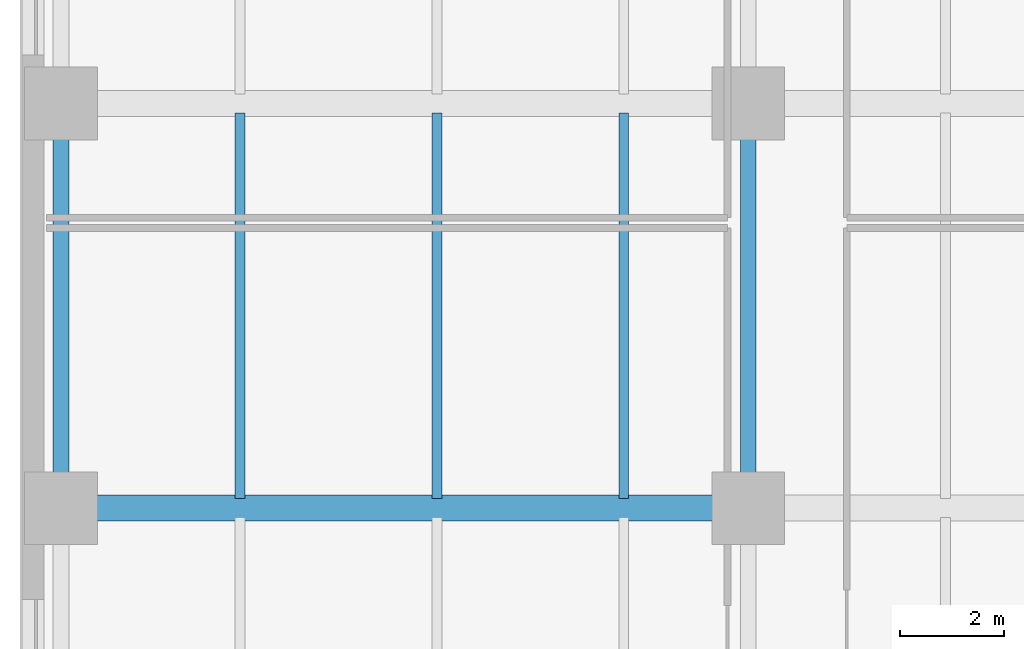
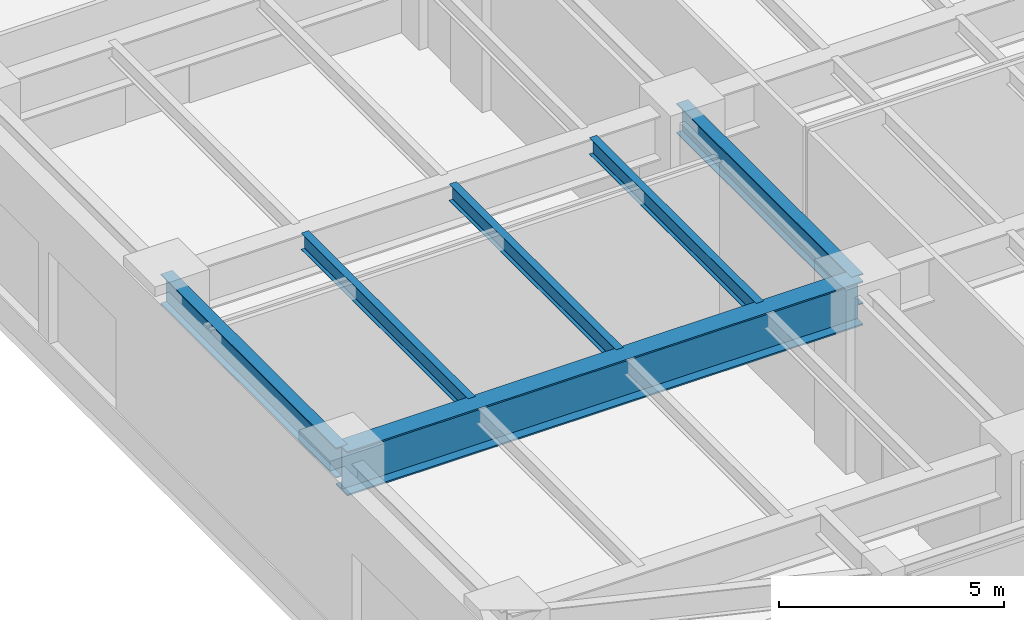
# One storey, part 5 of 39: 6 beams.
"""IFC4 building model written with IfcOpenShell, lengths in metres."""

from ifc_helpers import new_model, si_unit, direction, frame, origin, origin_2d, place, context, subcontext, project, spatial, i_section, extrude, source, transform, mapped, material, material_profile, profile_set, type_object, type_shapes, element, save


model = new_model("IFC4")

# Units and contexts
model_context = context("Model", 3, precision=1e-05, world=origin(), true_north=direction((0.0, 1.0)))
body_context = subcontext(model_context, "Body", "Model", "MODEL_VIEW")
ifc_project = project(units=[si_unit("LENGTHUNIT", "METRE"), si_unit("AREAUNIT", "SQUARE_METRE"), si_unit("VOLUMEUNIT", "CUBIC_METRE"), si_unit("PLANEANGLEUNIT", "RADIAN"), si_unit("MASSUNIT", "GRAM", prefix="KILO")], contexts=[model_context])

# Site, building, storey
site_placement = place(None, origin())
site = spatial("IfcSite", under=ifc_project, at=site_placement, CompositionType="ELEMENT")
building_placement = place(site_placement, origin())
building = spatial("IfcBuilding", under=site, at=building_placement, Name="Tolvann Quenvar Hotel", CompositionType="ELEMENT")
storey_placement = place(building_placement, frame((0.0, 0.0, 11.0)))
storey = spatial("IfcBuildingStorey", under=building, at=storey_placement, Name="L02", CompositionType="ELEMENT", Elevation=11.0)

# Beams
ifc_material = material(Name="Steel Grade 350", Category="steel")
ifc_material_profile_1 = material_profile(ifc_material, i_section(OverallWidth=0.5, OverallDepth=1.199951171875, WebThickness=0.01611328125, FlangeThickness=0.0400390625, at=origin_2d()), Name="1200WB455")
ifc_profile_set_1 = profile_set([ifc_material_profile_1], Name="Steel Grade 350")
beam_type_1 = type_object("IfcBeamType", Name="BM_TG_1200WB455", PredefinedType="USERDEFINED", material=ifc_profile_set_1)
shared_shape_1 = source(origin(), body_context, "Body", "SweptSolid", [
    extrude(i_section(OverallWidth=0.5, OverallDepth=1.199951171875, WebThickness=0.01611328125, FlangeThickness=0.0400390625, at=origin_2d()), origin(), (0.0, 0.0, 1.0), 13.25),
])
type_shapes(beam_type_1, [shared_shape_1])
beam_placement = place(storey_placement, frame((-7.64990234375, 8.199951171875, 4.139892578125), z_axis=(1.0, 0.0, 0.0), x_axis=(0.0, 1.0, 0.0)))
element("IfcBeam", 1, at=beam_placement, inside=storey, type_object=beam_type_1, Name="BM-L02-GW1-2", ObjectType="TRANSFER GIRDER", PredefinedType="USERDEFINED", context=body_context, shape_type="MappedRepresentation", body=[
    mapped(shared_shape_1, transform((0.0, 0.0, 0.0), x_axis=(1.0, 0.0, 0.0), y_axis=(0.0, 1.0, 0.0), z_axis=(0.0, 0.0, 1.0), scale=1.0)),
])
ifc_material_profile_2 = material_profile(ifc_material, i_section(OverallWidth=0.300048828125, OverallDepth=0.81591796875, WebThickness=0.010009765625, FlangeThickness=0.028076171875, at=origin_2d()), Name="800WB192")
ifc_profile_set_2 = profile_set([ifc_material_profile_2], Name="Steel Grade 350")
beam_type_2 = type_object("IfcBeamType", Name="BM_GIRD_800WB192", PredefinedType="BEAM", material=ifc_profile_set_2)
shared_shape_2 = source(origin(), body_context, "Body", "SweptSolid", [
    extrude(i_section(OverallWidth=0.300048828125, OverallDepth=0.81591796875, WebThickness=0.010009765625, FlangeThickness=0.028076171875, at=origin_2d()), origin(), (0.0, 0.0, 1.0), 7.800048828125),
])
type_shapes(beam_type_2, [shared_shape_2])
for number, where, z_axis, x_axis, name in (
    (2, (5.60009765625, 8.199951171875, 4.33203125), (0.0, 1.0, 0.0), (-1.0, 0.0, 0.0), "BM-L02-NS-PBAL-1"),
    (3, (-7.64990234375, 8.199951171875, 4.33203125), (0.0, 1.0, 0.0), (-1.0, 0.0, 0.0), "BM-L02-NS-A-1"),
):
    element("IfcBeam", number, at=place(storey_placement, frame(where, z_axis=z_axis, x_axis=x_axis)), inside=storey, type_object=beam_type_2, Name=name, PredefinedType="BEAM", context=body_context, shape_type="MappedRepresentation", body=[
        mapped(shared_shape_2, transform((0.0, 0.0, 0.0), x_axis=(1.0, 0.0, 0.0), y_axis=(0.0, 1.0, 0.0), z_axis=(0.0, 0.0, 1.0), scale=1.0)),
    ])
ifc_material_profile_3 = material_profile(ifc_material, i_section(OverallWidth=0.18994140625, OverallDepth=0.4541015625, WebThickness=0.008544921875, FlangeThickness=0.0126953125, FilletRadius=0.011474609375, at=origin_2d()), Name="460UB67")
ifc_profile_set_3 = profile_set([ifc_material_profile_3], Name="Steel Grade 350")
beam_type_3 = type_object("IfcBeamType", Name="BM_JOIST_460UB67", PredefinedType="JOIST", material=ifc_profile_set_3)
shared_shape_3 = source(origin(), body_context, "Body", "SweptSolid", [
    extrude(i_section(OverallWidth=0.18994140625, OverallDepth=0.4541015625, WebThickness=0.008544921875, FlangeThickness=0.0126953125, FilletRadius=0.011474609375, at=origin_2d()), origin(), (0.0, 0.0, 1.0), 7.429931640625),
])
type_shapes(beam_type_3, [shared_shape_3])
for number, where, z_axis, x_axis, name in (
    (4, (-4.199951171875, 8.385009765625, 4.512939453125), (0.0, 1.0, 0.0), (-1.0, 0.0, 0.0), "BJ-L02--42-82"),
    (5, (-0.39990234375, 8.385009765625, 4.512939453125), (0.0, 1.0, 0.0), (-1.0, 0.0, 0.0), "BJ-L02--4-82"),
    (6, (3.199951171875, 8.385009765625, 4.512939453125), (0.0, 1.0, 0.0), (-1.0, 0.0, 0.0), "BJ-L02-32-82"),
):
    element("IfcBeam", number, at=place(storey_placement, frame(where, z_axis=z_axis, x_axis=x_axis)), inside=storey, type_object=beam_type_3, Name=name, PredefinedType="JOIST", context=body_context, shape_type="MappedRepresentation", body=[
        mapped(shared_shape_3, transform((0.0, 0.0, 0.0), x_axis=(1.0, 0.0, 0.0), y_axis=(0.0, 1.0, 0.0), z_axis=(0.0, 0.0, 1.0), scale=1.0)),
    ])

save(model, "model.ifc")
